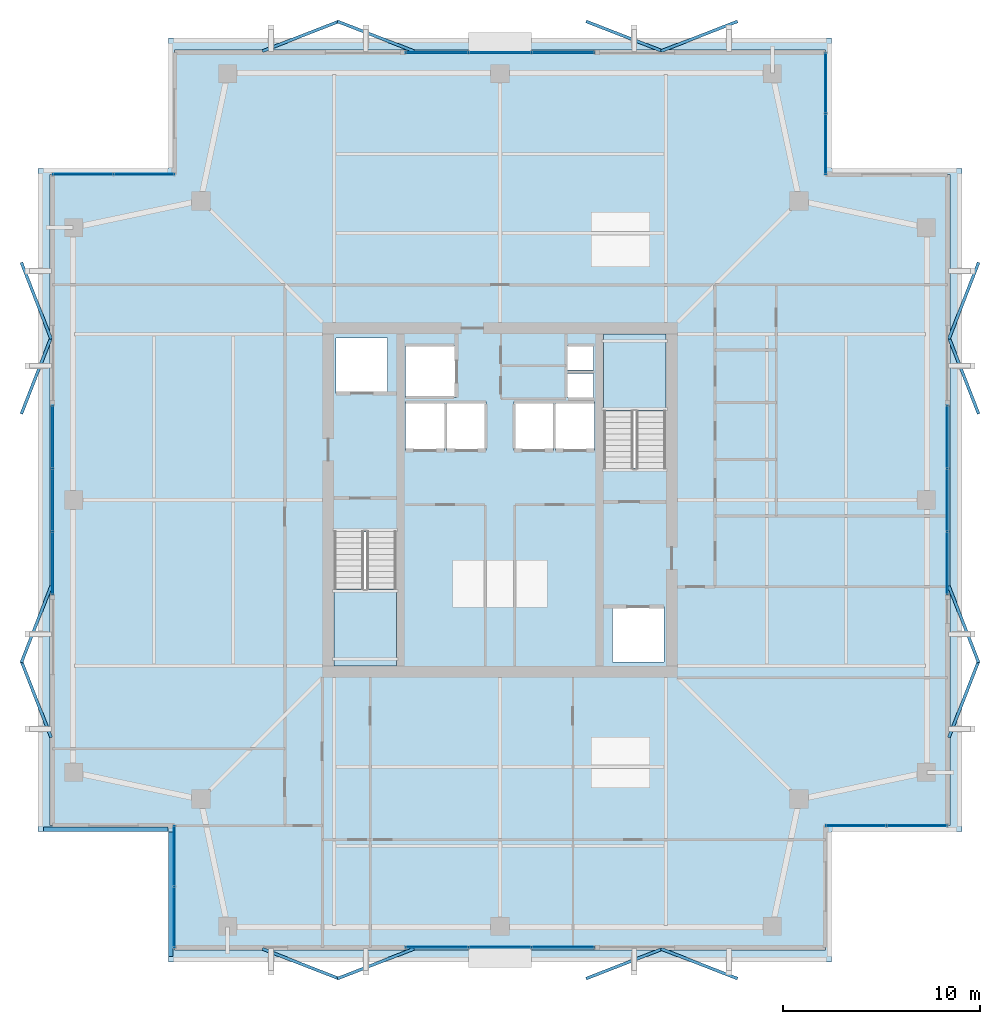
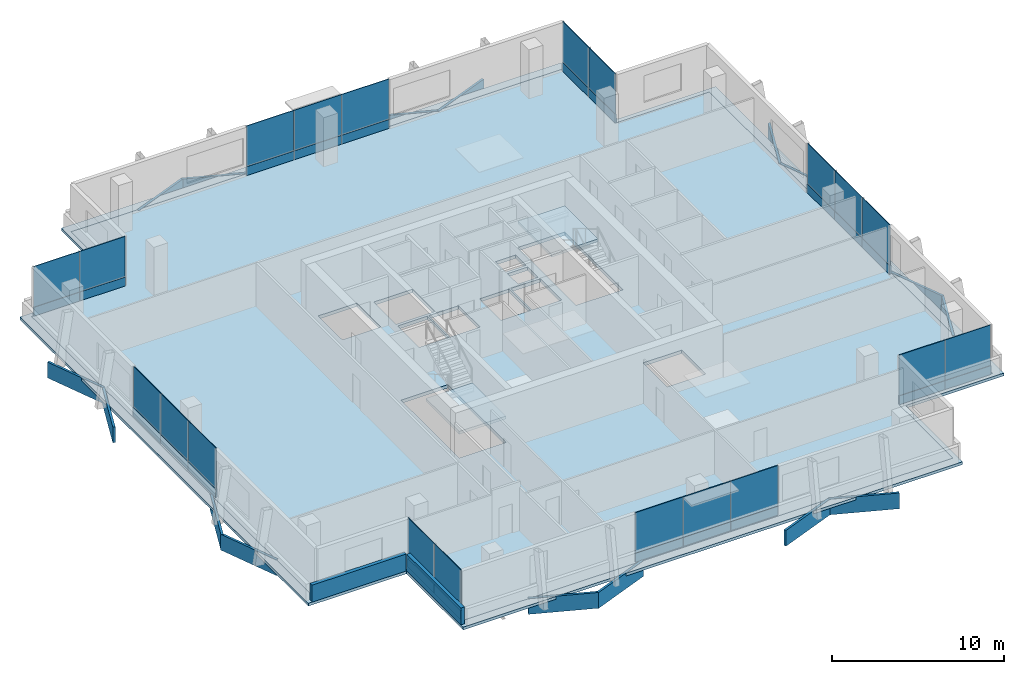
# One storey, part 20 of 26: 56 plates, 4 slabs, 2 walls, 10 elements without a shape of their own.
"""IFC4 building model written with IfcOpenShell, lengths in metres."""

from ifc_helpers import new_model, si_unit, direction, frame, frame_2d, origin, origin_2d, place, context, subcontext, project, spatial, polyline, rectangle, outline, extrude, material, layer, layer_set, type_object, element, aggregate, save


model = new_model("IFC4")

# Units and contexts
model_context = context("Model", 3, precision=1e-05, world=origin(), true_north=direction((0.0, 1.0)))
body_context = subcontext(model_context, "Body", "Model", "MODEL_VIEW")
ifc_project = project(units=[si_unit("LENGTHUNIT", "METRE"), si_unit("AREAUNIT", "SQUARE_METRE"), si_unit("VOLUMEUNIT", "CUBIC_METRE"), si_unit("PLANEANGLEUNIT", "RADIAN"), si_unit("MASSUNIT", "GRAM", prefix="KILO")], contexts=[model_context])

# Site, building, storey
site_placement = place(None, origin())
site = spatial("IfcSite", under=ifc_project, at=site_placement, CompositionType="ELEMENT")
building_placement = place(site_placement, origin())
building = spatial("IfcBuilding", under=site, at=building_placement, Name="Belovzor Exchange Tower", CompositionType="ELEMENT")
storey_placement = place(building_placement, frame((0.0, 0.0, 295.5)))
storey = spatial("IfcBuildingStorey", under=building, at=storey_placement, Name="L73", CompositionType="ELEMENT", Elevation=295.5)

# Slab
ifc_material_1 = material(Name="Concrete C40/50", Category="concrete")
ifc_layer_1 = layer(ifc_material_1, 0.239990234375)
ifc_layer_set_1 = layer_set([ifc_layer_1], Name="Concrete C40/50")
slab_type_1 = type_object("IfcSlabType", Name="Composite High-Rise Floor Deck Slab 240", PredefinedType="FLOOR", material=ifc_layer_set_1)
slab_1_placement = place(storey_placement, frame((0.0, 0.0, -0.239990234375)))
element("IfcSlab", 1, at=slab_1_placement, inside=storey, type_object=slab_type_1, Name="SL-F240 Structural Slab L73", PredefinedType="FLOOR", context=body_context, shape_type="SweptSolid", body=[
    extrude(outline(polyline([(12.300048828125, 6.0), (45.300048828125, 6.0), (45.300048828125, 12.300048828125), (51.60009765625, 12.300048828125), (51.60009765625, 45.300048828125), (45.300048828125, 45.300048828125), (45.300048828125, 51.60009765625), (12.300048828125, 51.60009765625), (12.300048828125, 45.300048828125), (6.0, 45.300048828125), (6.0, 12.300048828125), (12.300048828125, 12.300048828125), (12.300048828125, 6.0)]), holes=[polyline([(20.39990234375, 27.175048828125), (20.39990234375, 20.39990234375), (23.550048828125, 20.39990234375), (23.550048828125, 27.175048828125), (20.39990234375, 27.175048828125)]), polyline([(37.199951171875, 30.425048828125), (37.199951171875, 37.199951171875), (34.050048828125, 37.199951171875), (34.050048828125, 30.425048828125), (37.199951171875, 30.425048828125)]), polyline([(20.5, 34.199951171875), (23.10009765625, 34.199951171875), (23.10009765625, 37.0), (20.5, 37.0), (20.5, 34.199951171875)]), polyline([(34.5, 20.60009765625), (37.10009765625, 20.60009765625), (37.10009765625, 23.39990234375), (34.5, 23.39990234375), (34.5, 20.60009765625)]), polyline([(24.0, 34.0), (26.60009765625, 34.0), (26.60009765625, 36.60009765625), (24.0, 36.60009765625), (24.0, 34.0)]), polyline([(24.0, 31.300048828125), (26.0, 31.300048828125), (26.0, 33.800048828125), (24.0, 33.800048828125), (24.0, 31.300048828125)]), polyline([(26.10009765625, 31.300048828125), (28.10009765625, 31.300048828125), (28.10009765625, 33.800048828125), (26.10009765625, 33.800048828125), (26.10009765625, 31.300048828125)]), polyline([(29.5, 31.300048828125), (31.5, 31.300048828125), (31.5, 33.800048828125), (29.5, 33.800048828125), (29.5, 31.300048828125)]), polyline([(31.60009765625, 31.300048828125), (33.60009765625, 31.300048828125), (33.60009765625, 33.800048828125), (31.60009765625, 33.800048828125), (31.60009765625, 31.300048828125)]), polyline([(32.199951171875, 34.0), (33.550048828125, 34.0), (33.550048828125, 35.199951171875), (32.199951171875, 35.199951171875), (32.199951171875, 34.0)]), polyline([(32.199951171875, 35.39990234375), (33.550048828125, 35.39990234375), (33.550048828125, 36.60009765625), (32.199951171875, 36.60009765625), (32.199951171875, 35.39990234375)])]), origin(), (0.0, 0.0, 1.0), 0.239990234375),
])

# Curtain wall, plates
ifc_material_2 = material(Name="Anodised Aluminium Framing", Category="aluminium")
ifc_layer_2 = layer(ifc_material_2, 0.179931640625)
ifc_layer_set_2 = layer_set([ifc_layer_2], Name="Anodised Aluminium Framing")
curtain_wall_type_1 = type_object("IfcCurtainWallType", Name="Recessed Loggia Low-Iron Triple-Glazed Curtain Wall", PredefinedType="NOTDEFINED", material=ifc_layer_set_2)
curtain_wall_1_placement = place(storey_placement, origin())
curtain_wall_1 = element("IfcCurtainWall", 2, at=curtain_wall_1_placement, inside=storey, type_object=curtain_wall_type_1, Name="CW3 Recessed Loggia Low-Iron Triple-Glazed Curtain Wall L73", PredefinedType="NOTDEFINED")
ifc_material_3 = material(Name="Solar-Control Triple Glazing", Category="glass")
ifc_layer_3 = layer(ifc_material_3, 0.0439453125)
ifc_layer_set_3 = layer_set([ifc_layer_3], Name="Solar-Control Triple Glazing")
plate_type_1 = type_object("IfcPlateType", Name="Insulated Solar Glazing Curtain Panel 44", PredefinedType="CURTAIN_PANEL", material=ifc_layer_set_3)
plate_1_placement = place(storey_placement, frame((32.0, 6.1298828125, 0.634033203125), z_axis=(0.0, 0.0, 1.0), x_axis=(-1.0, 0.0, 0.0)))
plate_1 = element("IfcPlate", 3, at=plate_1_placement, type_object=plate_type_1, Name="GLZ-44 Glazed Curtain Panel 1", PredefinedType="CURTAIN_PANEL", context=body_context, shape_type="SweptSolid", body=[
    extrude(rectangle(XDim=3.18408203125, YDim=0.0439453125, at=origin_2d()), origin(), (0.0, 0.0, 1.0), 2.8759765625),
])
plate_2_placement = place(storey_placement, frame((28.800048828125, 6.1298828125, 0.634033203125), z_axis=(0.0, 0.0, 1.0), x_axis=(-1.0, 0.0, 0.0)))
plate_2 = element("IfcPlate", 4, at=plate_2_placement, type_object=plate_type_1, Name="GLZ-44 Glazed Curtain Panel 2", PredefinedType="CURTAIN_PANEL", context=body_context, shape_type="SweptSolid", body=[
    extrude(rectangle(XDim=3.18408203125, YDim=0.0439453125, at=origin_2d()), origin(), (0.0, 0.0, 1.0), 2.8759765625),
])
plate_3_placement = place(storey_placement, frame((25.60009765625, 6.1298828125, 0.634033203125), z_axis=(0.0, 0.0, 1.0), x_axis=(-1.0, 0.0, 0.0)))
plate_3 = element("IfcPlate", 5, at=plate_3_placement, type_object=plate_type_1, Name="GLZ-44 Glazed Curtain Panel 3", PredefinedType="CURTAIN_PANEL", context=body_context, shape_type="SweptSolid", body=[
    extrude(rectangle(XDim=3.18408203125, YDim=0.0439453125, at=origin_2d()), origin(), (0.0, 0.0, 1.0), 2.8759765625),
])

curtain_wall_2_placement = place(storey_placement, origin())
curtain_wall_2 = element("IfcCurtainWall", 6, at=curtain_wall_2_placement, inside=storey, type_object=curtain_wall_type_1, Name="CW3 Recessed Loggia Low-Iron Triple-Glazed Curtain Wall L73", PredefinedType="NOTDEFINED")
plate_4_placement = place(storey_placement, frame((25.60009765625, 51.469970703125, 0.634033203125), z_axis=(0.0, 0.0, 1.0), x_axis=(1.0, 0.0, 0.0)))
plate_4 = element("IfcPlate", 7, at=plate_4_placement, type_object=plate_type_1, Name="GLZ-44 Glazed Curtain Panel 1", PredefinedType="CURTAIN_PANEL", context=body_context, shape_type="SweptSolid", body=[
    extrude(rectangle(XDim=3.18408203125, YDim=0.0439453125, at=origin_2d()), origin(), (0.0, 0.0, 1.0), 2.8759765625),
])
plate_5_placement = place(storey_placement, frame((28.800048828125, 51.469970703125, 0.634033203125), z_axis=(0.0, 0.0, 1.0), x_axis=(1.0, 0.0, 0.0)))
plate_5 = element("IfcPlate", 8, at=plate_5_placement, type_object=plate_type_1, Name="GLZ-44 Glazed Curtain Panel 2", PredefinedType="CURTAIN_PANEL", context=body_context, shape_type="SweptSolid", body=[
    extrude(rectangle(XDim=3.18408203125, YDim=0.0439453125, at=origin_2d()), origin(), (0.0, 0.0, 1.0), 2.8759765625),
])
plate_6_placement = place(storey_placement, frame((32.0, 51.469970703125, 0.634033203125), z_axis=(0.0, 0.0, 1.0), x_axis=(1.0, 0.0, 0.0)))
plate_6 = element("IfcPlate", 9, at=plate_6_placement, type_object=plate_type_1, Name="GLZ-44 Glazed Curtain Panel 3", PredefinedType="CURTAIN_PANEL", context=body_context, shape_type="SweptSolid", body=[
    extrude(rectangle(XDim=3.18408203125, YDim=0.0439453125, at=origin_2d()), origin(), (0.0, 0.0, 1.0), 2.8759765625),
])

curtain_wall_3_placement = place(storey_placement, origin())
curtain_wall_3 = element("IfcCurtainWall", 10, at=curtain_wall_3_placement, inside=storey, type_object=curtain_wall_type_1, Name="CW3 Recessed Loggia Low-Iron Triple-Glazed Curtain Wall L73", PredefinedType="NOTDEFINED")
plate_7_placement = place(storey_placement, frame((6.1298828125, 25.60009765625, 0.634033203125), z_axis=(0.0, 0.0, 1.0), x_axis=(0.0, 1.0, 0.0)))
plate_7 = element("IfcPlate", 11, at=plate_7_placement, type_object=plate_type_1, Name="GLZ-44 Glazed Curtain Panel 1", PredefinedType="CURTAIN_PANEL", context=body_context, shape_type="SweptSolid", body=[
    extrude(rectangle(XDim=3.18408203125, YDim=0.0439453125, at=origin_2d()), origin(), (0.0, 0.0, 1.0), 2.8759765625),
])
plate_8_placement = place(storey_placement, frame((6.1298828125, 28.800048828125, 0.634033203125), z_axis=(0.0, 0.0, 1.0), x_axis=(0.0, 1.0, 0.0)))
plate_8 = element("IfcPlate", 12, at=plate_8_placement, type_object=plate_type_1, Name="GLZ-44 Glazed Curtain Panel 2", PredefinedType="CURTAIN_PANEL", context=body_context, shape_type="SweptSolid", body=[
    extrude(rectangle(XDim=3.18408203125, YDim=0.0439453125, at=origin_2d()), origin(), (0.0, 0.0, 1.0), 2.8759765625),
])
plate_9_placement = place(storey_placement, frame((6.1298828125, 32.0, 0.634033203125), z_axis=(0.0, 0.0, 1.0), x_axis=(0.0, 1.0, 0.0)))
plate_9 = element("IfcPlate", 13, at=plate_9_placement, type_object=plate_type_1, Name="GLZ-44 Glazed Curtain Panel 3", PredefinedType="CURTAIN_PANEL", context=body_context, shape_type="SweptSolid", body=[
    extrude(rectangle(XDim=3.18408203125, YDim=0.0439453125, at=origin_2d()), origin(), (0.0, 0.0, 1.0), 2.8759765625),
])

curtain_wall_4_placement = place(storey_placement, origin())
curtain_wall_4 = element("IfcCurtainWall", 14, at=curtain_wall_4_placement, inside=storey, type_object=curtain_wall_type_1, Name="CW3 Recessed Loggia Low-Iron Triple-Glazed Curtain Wall L73", PredefinedType="NOTDEFINED")
plate_10_placement = place(storey_placement, frame((51.469970703125, 32.0, 0.634033203125), z_axis=(0.0, 0.0, 1.0), x_axis=(0.0, -1.0, 0.0)))
plate_10 = element("IfcPlate", 15, at=plate_10_placement, type_object=plate_type_1, Name="GLZ-44 Glazed Curtain Panel 1", PredefinedType="CURTAIN_PANEL", context=body_context, shape_type="SweptSolid", body=[
    extrude(rectangle(XDim=3.18408203125, YDim=0.0439453125, at=origin_2d()), origin(), (0.0, 0.0, 1.0), 2.8759765625),
])
plate_11_placement = place(storey_placement, frame((51.469970703125, 28.800048828125, 0.634033203125), z_axis=(0.0, 0.0, 1.0), x_axis=(0.0, -1.0, 0.0)))
plate_11 = element("IfcPlate", 16, at=plate_11_placement, type_object=plate_type_1, Name="GLZ-44 Glazed Curtain Panel 2", PredefinedType="CURTAIN_PANEL", context=body_context, shape_type="SweptSolid", body=[
    extrude(rectangle(XDim=3.18408203125, YDim=0.0439453125, at=origin_2d()), origin(), (0.0, 0.0, 1.0), 2.8759765625),
])
plate_12_placement = place(storey_placement, frame((51.469970703125, 25.60009765625, 0.634033203125), z_axis=(0.0, 0.0, 1.0), x_axis=(0.0, -1.0, 0.0)))
plate_12 = element("IfcPlate", 17, at=plate_12_placement, type_object=plate_type_1, Name="GLZ-44 Glazed Curtain Panel 3", PredefinedType="CURTAIN_PANEL", context=body_context, shape_type="SweptSolid", body=[
    extrude(rectangle(XDim=3.18408203125, YDim=0.0439453125, at=origin_2d()), origin(), (0.0, 0.0, 1.0), 2.8759765625),
])

ifc_material_4 = material(Name="Anodised Aluminium Framing", Category="aluminium")
ifc_layer_4 = layer(ifc_material_4, 0.195068359375)
ifc_layer_set_4 = layer_set([ifc_layer_4], Name="Anodised Aluminium Framing")
curtain_wall_type_2 = type_object("IfcCurtainWallType", Name="Notched Re-Entrant Corner Unitised Curtain Wall", PredefinedType="NOTDEFINED", material=ifc_layer_set_4)
curtain_wall_5_placement = place(storey_placement, origin())
curtain_wall_5 = element("IfcCurtainWall", 18, at=curtain_wall_5_placement, inside=storey, type_object=curtain_wall_type_2, Name="CW5 Notched Re-Entrant Corner Unitised Curtain Wall L73", PredefinedType="NOTDEFINED")
plate_13_placement = place(storey_placement, frame((12.300048828125, 7.673095703125, 0.634033203125), z_axis=(0.0, 0.0, 1.0), x_axis=(0.0, 1.0, 0.0)))
plate_13 = element("IfcPlate", 19, at=plate_13_placement, type_object=plate_type_1, Name="GLZ-44 Glazed Curtain Panel 1", PredefinedType="CURTAIN_PANEL", context=body_context, shape_type="SweptSolid", body=[
    extrude(rectangle(XDim=3.069091796875, YDim=0.0439453125, at=origin_2d()), origin(), (0.0, 0.0, 1.0), 2.8759765625),
])
plate_14_placement = place(storey_placement, frame((12.300048828125, 10.758056640625, 0.634033203125), z_axis=(0.0, 0.0, 1.0), x_axis=(0.0, 1.0, 0.0)))
plate_14 = element("IfcPlate", 20, at=plate_14_placement, type_object=plate_type_1, Name="GLZ-44 Glazed Curtain Panel 2", PredefinedType="CURTAIN_PANEL", context=body_context, shape_type="SweptSolid", body=[
    extrude(rectangle(XDim=3.069091796875, YDim=0.0439453125, at=origin_2d()), origin(), (0.0, 0.0, 1.0), 2.8759765625),
])

curtain_wall_6_placement = place(storey_placement, origin())
curtain_wall_6 = element("IfcCurtainWall", 21, at=curtain_wall_6_placement, inside=storey, type_object=curtain_wall_type_2, Name="CW5 Notched Re-Entrant Corner Unitised Curtain Wall L73", PredefinedType="NOTDEFINED")
plate_15_placement = place(storey_placement, frame((7.673095703125, 45.300048828125, 0.634033203125), z_axis=(0.0, 0.0, 1.0), x_axis=(1.0, 0.0, 0.0)))
plate_15 = element("IfcPlate", 22, at=plate_15_placement, type_object=plate_type_1, Name="GLZ-44 Glazed Curtain Panel 1", PredefinedType="CURTAIN_PANEL", context=body_context, shape_type="SweptSolid", body=[
    extrude(rectangle(XDim=3.069091796875, YDim=0.0439453125, at=origin_2d()), origin(), (0.0, 0.0, 1.0), 2.8759765625),
])
plate_16_placement = place(storey_placement, frame((10.758056640625, 45.300048828125, 0.634033203125), z_axis=(0.0, 0.0, 1.0), x_axis=(1.0, 0.0, 0.0)))
plate_16 = element("IfcPlate", 23, at=plate_16_placement, type_object=plate_type_1, Name="GLZ-44 Glazed Curtain Panel 2", PredefinedType="CURTAIN_PANEL", context=body_context, shape_type="SweptSolid", body=[
    extrude(rectangle(XDim=3.069091796875, YDim=0.0439453125, at=origin_2d()), origin(), (0.0, 0.0, 1.0), 2.8759765625),
])

curtain_wall_7_placement = place(storey_placement, origin())
curtain_wall_7 = element("IfcCurtainWall", 24, at=curtain_wall_7_placement, inside=storey, type_object=curtain_wall_type_2, Name="CW5 Notched Re-Entrant Corner Unitised Curtain Wall L73", PredefinedType="NOTDEFINED")
plate_17_placement = place(storey_placement, frame((45.300048828125, 49.927001953125, 0.634033203125), z_axis=(0.0, 0.0, 1.0), x_axis=(0.0, -1.0, 0.0)))
plate_17 = element("IfcPlate", 25, at=plate_17_placement, type_object=plate_type_1, Name="GLZ-44 Glazed Curtain Panel 1", PredefinedType="CURTAIN_PANEL", context=body_context, shape_type="SweptSolid", body=[
    extrude(rectangle(XDim=3.069091796875, YDim=0.0439453125, at=origin_2d()), origin(), (0.0, 0.0, 1.0), 2.8759765625),
])
plate_18_placement = place(storey_placement, frame((45.300048828125, 46.843017578125, 0.634033203125), z_axis=(0.0, 0.0, 1.0), x_axis=(0.0, -1.0, 0.0)))
plate_18 = element("IfcPlate", 26, at=plate_18_placement, type_object=plate_type_1, Name="GLZ-44 Glazed Curtain Panel 2", PredefinedType="CURTAIN_PANEL", context=body_context, shape_type="SweptSolid", body=[
    extrude(rectangle(XDim=3.069091796875, YDim=0.0439453125, at=origin_2d()), origin(), (0.0, 0.0, 1.0), 2.8759765625),
])

curtain_wall_8_placement = place(storey_placement, origin())
curtain_wall_8 = element("IfcCurtainWall", 27, at=curtain_wall_8_placement, inside=storey, type_object=curtain_wall_type_2, Name="CW5 Notched Re-Entrant Corner Unitised Curtain Wall L73", PredefinedType="NOTDEFINED")
plate_19_placement = place(storey_placement, frame((49.927001953125, 12.300048828125, 0.634033203125), z_axis=(0.0, 0.0, 1.0), x_axis=(-1.0, 0.0, 0.0)))
plate_19 = element("IfcPlate", 28, at=plate_19_placement, type_object=plate_type_1, Name="GLZ-44 Glazed Curtain Panel 1", PredefinedType="CURTAIN_PANEL", context=body_context, shape_type="SweptSolid", body=[
    extrude(rectangle(XDim=3.069091796875, YDim=0.0439453125, at=origin_2d()), origin(), (0.0, 0.0, 1.0), 2.8759765625),
])
plate_20_placement = place(storey_placement, frame((46.843017578125, 12.300048828125, 0.634033203125), z_axis=(0.0, 0.0, 1.0), x_axis=(-1.0, 0.0, 0.0)))
plate_20 = element("IfcPlate", 29, at=plate_20_placement, type_object=plate_type_1, Name="GLZ-44 Glazed Curtain Panel 2", PredefinedType="CURTAIN_PANEL", context=body_context, shape_type="SweptSolid", body=[
    extrude(rectangle(XDim=3.069091796875, YDim=0.0439453125, at=origin_2d()), origin(), (0.0, 0.0, 1.0), 2.8759765625),
])

# Stair, slab
ifc_material_5 = material(Name="Concrete C40/50", Category="concrete")
stair_type = type_object("IfcStairType", Name="Reinforced Concrete Dogleg Escape Stair 1350", PredefinedType="HALF_TURN_STAIR", material=ifc_material_5)
stair_1_placement = place(storey_placement, origin())
stair_1 = element("IfcStair", 30, at=stair_1_placement, inside=storey, type_object=stair_type, Name="L73 ST-1", PredefinedType="HALF_TURN_STAIR")
ifc_material_6 = material(Name="Concrete C40/50", Category="concrete")
ifc_layer_5 = layer(ifc_material_6, 0.199951171875)
ifc_layer_set_5 = layer_set([ifc_layer_5], Name="Concrete C40/50")
slab_type_2 = type_object("IfcSlabType", Name="Reinforced Concrete Stair Half-Landing Slab 200", PredefinedType="LANDING", material=ifc_layer_set_5)
slab_2_placement = place(storey_placement, frame((0.0, 0.0, 1.675048828125)))
slab_2 = element("IfcSlab", 31, at=slab_2_placement, type_object=slab_type_2, Name="ST-1 landing 1", PredefinedType="LANDING", context=body_context, shape_type="SweptSolid", body=[
    extrude(outline(polyline([(20.39990234375, 24.300048828125), (20.39990234375, 20.39990234375), (23.550048828125, 20.39990234375), (23.550048828125, 24.300048828125), (20.39990234375, 24.300048828125)])), origin(), (0.0, 0.0, 1.0), 0.199951171875),
])
aggregate(stair_1, [slab_2])

stair_2_placement = place(storey_placement, origin())
stair_2 = element("IfcStair", 32, at=stair_2_placement, inside=storey, type_object=stair_type, Name="L73 ST-2", PredefinedType="HALF_TURN_STAIR")
slab_3_placement = place(storey_placement, frame((0.0, 0.0, 1.675048828125)))
slab_3 = element("IfcSlab", 33, at=slab_3_placement, type_object=slab_type_2, Name="ST-2 landing 1", PredefinedType="LANDING", context=body_context, shape_type="SweptSolid", body=[
    extrude(outline(polyline([(37.199951171875, 33.300048828125), (37.199951171875, 37.199951171875), (34.050048828125, 37.199951171875), (34.050048828125, 33.300048828125), (37.199951171875, 33.300048828125)])), origin(), (0.0, 0.0, 1.0), 0.199951171875),
])
aggregate(stair_2, [slab_3])

# Slab
ifc_material_7 = material(Name="Concrete C40/50", Category="concrete")
ifc_layer_6 = layer(ifc_material_7, 0.199951171875)
ifc_layer_set_6 = layer_set([ifc_layer_6], Name="Concrete C40/50")
slab_type_3 = type_object("IfcSlabType", Name="Setback Weathering Roof Ring Slab 200", PredefinedType="ROOF", material=ifc_layer_set_6)
slab_4_placement = place(storey_placement, frame((0.0, 0.0, -0.199951171875)))
element("IfcSlab", 34, at=slab_4_placement, inside=storey, type_object=slab_type_3, Name="SL-RF200A Setback Weathering Roof Ring L72", PredefinedType="ROOF", context=body_context, shape_type="SweptSolid", body=[
    extrude(outline(polyline([(12.0, 5.39990234375), (45.60009765625, 5.39990234375), (45.60009765625, 12.0), (52.199951171875, 12.0), (52.199951171875, 45.60009765625), (45.60009765625, 45.60009765625), (45.60009765625, 52.199951171875), (12.0, 52.199951171875), (12.0, 45.60009765625), (5.39990234375, 45.60009765625), (5.39990234375, 12.0), (12.0, 12.0), (12.0, 5.39990234375)]), holes=[polyline([(12.300048828125, 6.0), (45.300048828125, 6.0), (45.300048828125, 12.300048828125), (51.60009765625, 12.300048828125), (51.60009765625, 45.300048828125), (45.300048828125, 45.300048828125), (45.300048828125, 51.60009765625), (12.300048828125, 51.60009765625), (12.300048828125, 45.300048828125), (6.0, 45.300048828125), (6.0, 12.300048828125), (12.300048828125, 12.300048828125), (12.300048828125, 6.0)])]), origin(), (0.0, 0.0, 1.0), 0.199951171875),
])

# Plate
ifc_material_8 = material(Name="Extruded Architectural Terracotta", Category="masonry")
ifc_layer_7 = layer(ifc_material_8, 0.090087890625)
ifc_layer_set_7 = layer_set([ifc_layer_7], Name="Extruded Architectural Terracotta")
plate_type_2 = type_object("IfcPlateType", Name="Terracotta Shadow-Box Spandrel Panel 90", PredefinedType="CURTAIN_PANEL", material=ifc_layer_set_7)
plate_21_placement = place(storey_placement, frame((32.0, 6.1298828125, 0.0), z_axis=(0.0, 0.0, 1.0), x_axis=(-1.0, 0.0, 0.0)))
plate_21 = element("IfcPlate", 35, at=plate_21_placement, type_object=plate_type_2, Name="SPD-90 Spandrel Panel 1", PredefinedType="CURTAIN_PANEL", context=body_context, shape_type="SweptSolid", body=[
    extrude(rectangle(XDim=3.18408203125, YDim=0.090087890625, at=origin_2d()), origin(), (0.0, 0.0, 1.0), 0.6298828125),
])

plate_22_placement = place(storey_placement, frame((28.800048828125, 6.1298828125, 0.0), z_axis=(0.0, 0.0, 1.0), x_axis=(-1.0, 0.0, 0.0)))
plate_22 = element("IfcPlate", 36, at=plate_22_placement, type_object=plate_type_2, Name="SPD-90 Spandrel Panel 2", PredefinedType="CURTAIN_PANEL", context=body_context, shape_type="SweptSolid", body=[
    extrude(rectangle(XDim=3.18408203125, YDim=0.090087890625, at=origin_2d()), origin(), (0.0, 0.0, 1.0), 0.6298828125),
])

plate_23_placement = place(storey_placement, frame((25.60009765625, 6.1298828125, 0.0), z_axis=(0.0, 0.0, 1.0), x_axis=(-1.0, 0.0, 0.0)))
plate_23 = element("IfcPlate", 37, at=plate_23_placement, type_object=plate_type_2, Name="SPD-90 Spandrel Panel 3", PredefinedType="CURTAIN_PANEL", context=body_context, shape_type="SweptSolid", body=[
    extrude(rectangle(XDim=3.18408203125, YDim=0.090087890625, at=origin_2d()), origin(), (0.0, 0.0, 1.0), 0.6298828125),
])

aggregate(curtain_wall_1, [plate_21, plate_1, plate_22, plate_2, plate_23, plate_3])

plate_24_placement = place(storey_placement, frame((25.60009765625, 51.469970703125, 0.0), z_axis=(0.0, 0.0, 1.0), x_axis=(1.0, 0.0, 0.0)))
plate_24 = element("IfcPlate", 38, at=plate_24_placement, type_object=plate_type_2, Name="SPD-90 Spandrel Panel 1", PredefinedType="CURTAIN_PANEL", context=body_context, shape_type="SweptSolid", body=[
    extrude(rectangle(XDim=3.18408203125, YDim=0.090087890625, at=origin_2d()), origin(), (0.0, 0.0, 1.0), 0.6298828125),
])

plate_25_placement = place(storey_placement, frame((28.800048828125, 51.469970703125, 0.0), z_axis=(0.0, 0.0, 1.0), x_axis=(1.0, 0.0, 0.0)))
plate_25 = element("IfcPlate", 39, at=plate_25_placement, type_object=plate_type_2, Name="SPD-90 Spandrel Panel 2", PredefinedType="CURTAIN_PANEL", context=body_context, shape_type="SweptSolid", body=[
    extrude(rectangle(XDim=3.18408203125, YDim=0.090087890625, at=origin_2d()), origin(), (0.0, 0.0, 1.0), 0.6298828125),
])

plate_26_placement = place(storey_placement, frame((32.0, 51.469970703125, 0.0), z_axis=(0.0, 0.0, 1.0), x_axis=(1.0, 0.0, 0.0)))
plate_26 = element("IfcPlate", 40, at=plate_26_placement, type_object=plate_type_2, Name="SPD-90 Spandrel Panel 3", PredefinedType="CURTAIN_PANEL", context=body_context, shape_type="SweptSolid", body=[
    extrude(rectangle(XDim=3.18408203125, YDim=0.090087890625, at=origin_2d()), origin(), (0.0, 0.0, 1.0), 0.6298828125),
])

aggregate(curtain_wall_2, [plate_24, plate_4, plate_25, plate_5, plate_26, plate_6])

plate_27_placement = place(storey_placement, frame((6.1298828125, 25.60009765625, 0.0), z_axis=(0.0, 0.0, 1.0), x_axis=(0.0, 1.0, 0.0)))
plate_27 = element("IfcPlate", 41, at=plate_27_placement, type_object=plate_type_2, Name="SPD-90 Spandrel Panel 1", PredefinedType="CURTAIN_PANEL", context=body_context, shape_type="SweptSolid", body=[
    extrude(rectangle(XDim=3.18408203125, YDim=0.090087890625, at=origin_2d()), origin(), (0.0, 0.0, 1.0), 0.6298828125),
])

plate_28_placement = place(storey_placement, frame((6.1298828125, 28.800048828125, 0.0), z_axis=(0.0, 0.0, 1.0), x_axis=(0.0, 1.0, 0.0)))
plate_28 = element("IfcPlate", 42, at=plate_28_placement, type_object=plate_type_2, Name="SPD-90 Spandrel Panel 2", PredefinedType="CURTAIN_PANEL", context=body_context, shape_type="SweptSolid", body=[
    extrude(rectangle(XDim=3.18408203125, YDim=0.090087890625, at=origin_2d()), origin(), (0.0, 0.0, 1.0), 0.6298828125),
])

plate_29_placement = place(storey_placement, frame((6.1298828125, 32.0, 0.0), z_axis=(0.0, 0.0, 1.0), x_axis=(0.0, 1.0, 0.0)))
plate_29 = element("IfcPlate", 43, at=plate_29_placement, type_object=plate_type_2, Name="SPD-90 Spandrel Panel 3", PredefinedType="CURTAIN_PANEL", context=body_context, shape_type="SweptSolid", body=[
    extrude(rectangle(XDim=3.18408203125, YDim=0.090087890625, at=origin_2d()), origin(), (0.0, 0.0, 1.0), 0.6298828125),
])

aggregate(curtain_wall_3, [plate_27, plate_7, plate_28, plate_8, plate_29, plate_9])

plate_30_placement = place(storey_placement, frame((51.469970703125, 32.0, 0.0), z_axis=(0.0, 0.0, 1.0), x_axis=(0.0, -1.0, 0.0)))
plate_30 = element("IfcPlate", 44, at=plate_30_placement, type_object=plate_type_2, Name="SPD-90 Spandrel Panel 1", PredefinedType="CURTAIN_PANEL", context=body_context, shape_type="SweptSolid", body=[
    extrude(rectangle(XDim=3.18408203125, YDim=0.090087890625, at=origin_2d()), origin(), (0.0, 0.0, 1.0), 0.6298828125),
])

plate_31_placement = place(storey_placement, frame((51.469970703125, 28.800048828125, 0.0), z_axis=(0.0, 0.0, 1.0), x_axis=(0.0, -1.0, 0.0)))
plate_31 = element("IfcPlate", 45, at=plate_31_placement, type_object=plate_type_2, Name="SPD-90 Spandrel Panel 2", PredefinedType="CURTAIN_PANEL", context=body_context, shape_type="SweptSolid", body=[
    extrude(rectangle(XDim=3.18408203125, YDim=0.090087890625, at=origin_2d()), origin(), (0.0, 0.0, 1.0), 0.6298828125),
])

plate_32_placement = place(storey_placement, frame((51.469970703125, 25.60009765625, 0.0), z_axis=(0.0, 0.0, 1.0), x_axis=(0.0, -1.0, 0.0)))
plate_32 = element("IfcPlate", 46, at=plate_32_placement, type_object=plate_type_2, Name="SPD-90 Spandrel Panel 3", PredefinedType="CURTAIN_PANEL", context=body_context, shape_type="SweptSolid", body=[
    extrude(rectangle(XDim=3.18408203125, YDim=0.090087890625, at=origin_2d()), origin(), (0.0, 0.0, 1.0), 0.6298828125),
])

aggregate(curtain_wall_4, [plate_30, plate_10, plate_31, plate_11, plate_32, plate_12])

plate_33_placement = place(storey_placement, frame((12.300048828125, 7.673095703125, 0.0), z_axis=(0.0, 0.0, 1.0), x_axis=(0.0, 1.0, 0.0)))
plate_33 = element("IfcPlate", 47, at=plate_33_placement, type_object=plate_type_2, Name="SPD-90 Spandrel Panel 1", PredefinedType="CURTAIN_PANEL", context=body_context, shape_type="SweptSolid", body=[
    extrude(rectangle(XDim=3.069091796875, YDim=0.090087890625, at=origin_2d()), origin(), (0.0, 0.0, 1.0), 0.6298828125),
])

plate_34_placement = place(storey_placement, frame((12.300048828125, 10.758056640625, 0.0), z_axis=(0.0, 0.0, 1.0), x_axis=(0.0, 1.0, 0.0)))
plate_34 = element("IfcPlate", 48, at=plate_34_placement, type_object=plate_type_2, Name="SPD-90 Spandrel Panel 2", PredefinedType="CURTAIN_PANEL", context=body_context, shape_type="SweptSolid", body=[
    extrude(rectangle(XDim=3.069091796875, YDim=0.090087890625, at=origin_2d()), origin(), (0.0, 0.0, 1.0), 0.6298828125),
])

aggregate(curtain_wall_5, [plate_33, plate_13, plate_34, plate_14])

plate_35_placement = place(storey_placement, frame((7.673095703125, 45.300048828125, 0.0), z_axis=(0.0, 0.0, 1.0), x_axis=(1.0, 0.0, 0.0)))
plate_35 = element("IfcPlate", 49, at=plate_35_placement, type_object=plate_type_2, Name="SPD-90 Spandrel Panel 1", PredefinedType="CURTAIN_PANEL", context=body_context, shape_type="SweptSolid", body=[
    extrude(rectangle(XDim=3.069091796875, YDim=0.090087890625, at=origin_2d()), origin(), (0.0, 0.0, 1.0), 0.6298828125),
])

plate_36_placement = place(storey_placement, frame((10.758056640625, 45.300048828125, 0.0), z_axis=(0.0, 0.0, 1.0), x_axis=(1.0, 0.0, 0.0)))
plate_36 = element("IfcPlate", 50, at=plate_36_placement, type_object=plate_type_2, Name="SPD-90 Spandrel Panel 2", PredefinedType="CURTAIN_PANEL", context=body_context, shape_type="SweptSolid", body=[
    extrude(rectangle(XDim=3.069091796875, YDim=0.090087890625, at=origin_2d()), origin(), (0.0, 0.0, 1.0), 0.6298828125),
])

aggregate(curtain_wall_6, [plate_35, plate_15, plate_36, plate_16])

plate_37_placement = place(storey_placement, frame((45.300048828125, 49.927001953125, 0.0), z_axis=(0.0, 0.0, 1.0), x_axis=(0.0, -1.0, 0.0)))
plate_37 = element("IfcPlate", 51, at=plate_37_placement, type_object=plate_type_2, Name="SPD-90 Spandrel Panel 1", PredefinedType="CURTAIN_PANEL", context=body_context, shape_type="SweptSolid", body=[
    extrude(rectangle(XDim=3.069091796875, YDim=0.090087890625, at=origin_2d()), origin(), (0.0, 0.0, 1.0), 0.6298828125),
])

plate_38_placement = place(storey_placement, frame((45.300048828125, 46.843017578125, 0.0), z_axis=(0.0, 0.0, 1.0), x_axis=(0.0, -1.0, 0.0)))
plate_38 = element("IfcPlate", 52, at=plate_38_placement, type_object=plate_type_2, Name="SPD-90 Spandrel Panel 2", PredefinedType="CURTAIN_PANEL", context=body_context, shape_type="SweptSolid", body=[
    extrude(rectangle(XDim=3.069091796875, YDim=0.090087890625, at=origin_2d()), origin(), (0.0, 0.0, 1.0), 0.6298828125),
])

aggregate(curtain_wall_7, [plate_37, plate_17, plate_38, plate_18])

plate_39_placement = place(storey_placement, frame((49.927001953125, 12.300048828125, 0.0), z_axis=(0.0, 0.0, 1.0), x_axis=(-1.0, 0.0, 0.0)))
plate_39 = element("IfcPlate", 53, at=plate_39_placement, type_object=plate_type_2, Name="SPD-90 Spandrel Panel 1", PredefinedType="CURTAIN_PANEL", context=body_context, shape_type="SweptSolid", body=[
    extrude(rectangle(XDim=3.069091796875, YDim=0.090087890625, at=origin_2d()), origin(), (0.0, 0.0, 1.0), 0.6298828125),
])

plate_40_placement = place(storey_placement, frame((46.843017578125, 12.300048828125, 0.0), z_axis=(0.0, 0.0, 1.0), x_axis=(-1.0, 0.0, 0.0)))
plate_40 = element("IfcPlate", 54, at=plate_40_placement, type_object=plate_type_2, Name="SPD-90 Spandrel Panel 2", PredefinedType="CURTAIN_PANEL", context=body_context, shape_type="SweptSolid", body=[
    extrude(rectangle(XDim=3.069091796875, YDim=0.090087890625, at=origin_2d()), origin(), (0.0, 0.0, 1.0), 0.6298828125),
])

aggregate(curtain_wall_8, [plate_39, plate_19, plate_40, plate_20])

# Plates
ifc_material_9 = material(Name="Extruded Architectural Terracotta", Category="masonry")
ifc_layer_8 = layer(ifc_material_9, 0.14990234375)
ifc_layer_set_8 = layer_set([ifc_layer_8], Name="Extruded Architectural Terracotta")
plate_type_3 = type_object("IfcPlateType", Name="Upper-Crown Deep Folded Zigzag Terracotta Spandrel Louvre 150", PredefinedType="USERDEFINED", material=ifc_layer_set_8)
for number, where, z_axis, x_axis, name in (
    (55, (18.699951171875, 5.300048828125, -1.10498046875), (0.0, 0.0, 1.0), (0.931817969421, -0.362925986758, 0.0), "LVR-ZZ3 Zigzag Terracotta Spandrel Louvre L73 S1A"),
    (56, (22.5, 5.300048828125, -1.10498046875), (0.0, 0.0, 1.0), (0.931817969421, 0.362925986758, 0.0), "LVR-ZZ3 Zigzag Terracotta Spandrel Louvre L73 S1B"),
    (57, (18.699951171875, 52.300048828125, -1.10498046875), (0.0, 0.0, 1.0), (0.931817969421, 0.362925986758, 0.0), "LVR-ZZ3 Zigzag Terracotta Spandrel Louvre L73 N1A"),
    (58, (22.5, 52.300048828125, -1.10498046875), (0.0, 0.0, 1.0), (0.931817969421, -0.362925986758, 0.0), "LVR-ZZ3 Zigzag Terracotta Spandrel Louvre L73 N1B"),
    (59, (5.300048828125, 18.699951171875, -1.10498046875), (0.0, 0.0, 1.0), (-0.362925986758, 0.931817969421, 0.0), "LVR-ZZ3 Zigzag Terracotta Spandrel Louvre L73 W1A"),
    (60, (5.300048828125, 22.5, -1.10498046875), (0.0, 0.0, 1.0), (0.362925986758, 0.931817969421, 0.0), "LVR-ZZ3 Zigzag Terracotta Spandrel Louvre L73 W1B"),
    (61, (52.300048828125, 18.699951171875, -1.10498046875), (0.0, 0.0, 1.0), (0.362925986758, 0.931817969421, 0.0), "LVR-ZZ3 Zigzag Terracotta Spandrel Louvre L73 E1A"),
    (62, (52.300048828125, 22.5, -1.10498046875), (0.0, 0.0, 1.0), (-0.362925986758, 0.931817969421, 0.0), "LVR-ZZ3 Zigzag Terracotta Spandrel Louvre L73 E1B"),
    (63, (35.10009765625, 5.300048828125, -1.10498046875), (0.0, 0.0, 1.0), (0.931817969421, 0.362925986758, 0.0), "LVR-ZZ3 Zigzag Terracotta Spandrel Louvre L73 S2A"),
    (64, (38.89990234375, 5.300048828125, -1.10498046875), (0.0, 0.0, 1.0), (0.931817969421, -0.362925986758, 0.0), "LVR-ZZ3 Zigzag Terracotta Spandrel Louvre L73 S2B"),
    (65, (35.10009765625, 52.300048828125, -1.10498046875), (0.0, 0.0, 1.0), (0.931817969421, -0.362925986758, 0.0), "LVR-ZZ3 Zigzag Terracotta Spandrel Louvre L73 N2A"),
    (66, (38.89990234375, 52.300048828125, -1.10498046875), (0.0, 0.0, 1.0), (0.931817969421, 0.362925986758, 0.0), "LVR-ZZ3 Zigzag Terracotta Spandrel Louvre L73 N2B"),
    (67, (5.300048828125, 35.10009765625, -1.10498046875), (0.0, 0.0, 1.0), (0.362925986758, 0.931817969421, 0.0), "LVR-ZZ3 Zigzag Terracotta Spandrel Louvre L73 W2A"),
    (68, (5.300048828125, 38.89990234375, -1.10498046875), (0.0, 0.0, 1.0), (-0.362925986758, 0.931817969421, 0.0), "LVR-ZZ3 Zigzag Terracotta Spandrel Louvre L73 W2B"),
    (69, (52.300048828125, 35.10009765625, -1.10498046875), (0.0, 0.0, 1.0), (-0.362925986758, 0.931817969421, 0.0), "LVR-ZZ3 Zigzag Terracotta Spandrel Louvre L73 E2A"),
    (70, (52.300048828125, 38.89990234375, -1.10498046875), (0.0, 0.0, 1.0), (0.362925986758, 0.931817969421, 0.0), "LVR-ZZ3 Zigzag Terracotta Spandrel Louvre L73 E2B"),
):
    element("IfcPlate", number, at=place(storey_placement, frame(where, z_axis=z_axis, x_axis=x_axis)), inside=storey, type_object=plate_type_3, Name=name, ObjectType="SPANDREL_LOUVRE", PredefinedType="USERDEFINED", context=body_context, shape_type="SweptSolid", body=[
        extrude(rectangle(XDim=4.157958984375, YDim=0.14990234375, at=origin_2d()), origin(), (0.0, 0.0, 1.0), 1.1201171875),
    ])

# Walls
ifc_material_10 = material(Name="Precast concrete C40/50", Category="concrete")
ifc_layer_9 = layer(ifc_material_10, 0.239990234375)
ifc_layer_set_9 = layer_set([ifc_layer_9], Name="Precast concrete C40/50")
wall_type = type_object("IfcWallType", Name="Precast Stone Setback Roof Parapet Wall 240", PredefinedType="PARAPET", material=ifc_layer_set_9)
for number, where, z_axis, x_axis, name in (
    (71, (5.655029296875, 12.1201171875, 0.0), (0.0, 0.0, 1.0), (1.0, 0.0, 0.0), "W-PAR240 Precast Stone Setback Roof Parapet Wall 240 L73"),
    (72, (12.1201171875, 11.985107421875, 0.0), (0.0, 0.0, 1.0), (0.0, -1.0, 0.0), "W-PAR240 Precast Stone Setback Roof Parapet Wall 240 L73"),
):
    element("IfcWall", number, at=place(storey_placement, frame(where, z_axis=z_axis, x_axis=x_axis)), inside=storey, type_object=wall_type, Name=name, PredefinedType="PARAPET", context=body_context, shape_type="SweptSolid", body=[
        extrude(rectangle(XDim=6.330078125, YDim=0.239990234375, at=frame_2d((3.1650390625, 0.0))), origin(), (0.0, 0.0, 1.0), 1.199951171875),
    ])

save(model, "model.ifc")
